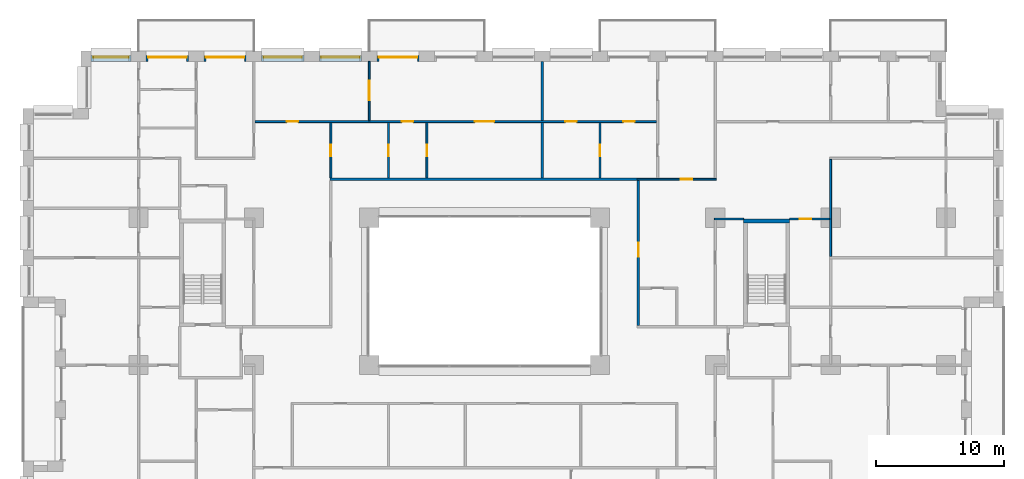
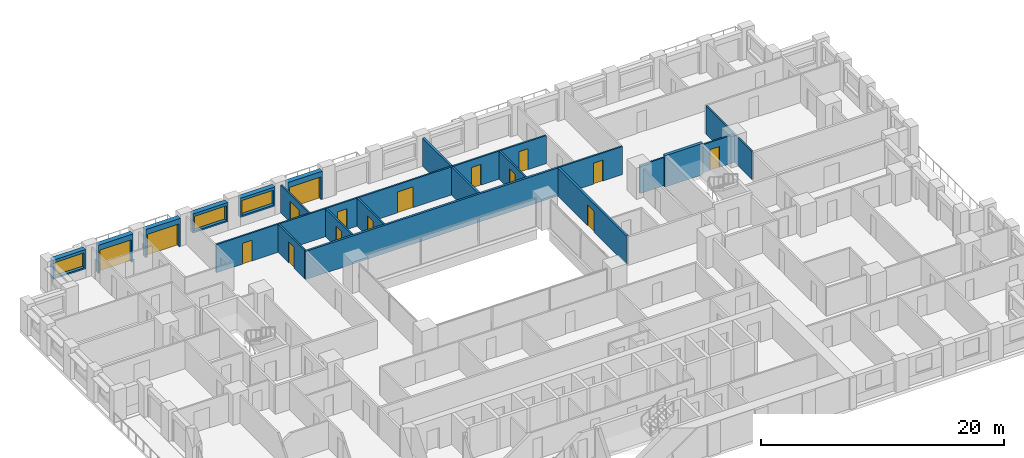
# One storey, part 14 of 19: 21 walls, 16 doors, 3 windows, 19 openings.
"""IFC4 building model written with IfcOpenShell, lengths in metres."""

from ifc_helpers import new_model, si_unit, direction, frame, frame_2d, origin, place, context, subcontext, project, spatial, rectangle, extrude, material, layer, layer_set, type_object, element, fill, save


model = new_model("IFC4")

# Units and contexts
model_context = context("Model", 3, precision=1e-05, world=origin(), true_north=direction((0.0, 1.0)))
body_context = subcontext(model_context, "Body", "Model", "MODEL_VIEW")
ifc_project = project(units=[si_unit("LENGTHUNIT", "METRE"), si_unit("AREAUNIT", "SQUARE_METRE"), si_unit("VOLUMEUNIT", "CUBIC_METRE"), si_unit("PLANEANGLEUNIT", "RADIAN"), si_unit("MASSUNIT", "GRAM", prefix="KILO")], contexts=[model_context])

# Site, building, storey
site_placement = place(None, origin())
site = spatial("IfcSite", under=ifc_project, at=site_placement, CompositionType="ELEMENT")
building_placement = place(site_placement, origin())
building = spatial("IfcBuilding", under=site, at=building_placement, Name="Brigalow Station Residences", CompositionType="ELEMENT")
storey_placement = place(building_placement, frame((0.0, 0.0, 35.25)))
storey = spatial("IfcBuildingStorey", under=building, at=storey_placement, Name="L09", CompositionType="ELEMENT", Elevation=35.25)

# Wall, opening, door
ifc_material_1 = material(Name="Clay brick masonry", Category="masonry")
ifc_layer_1 = layer(ifc_material_1, 0.449951171875)
ifc_layer_set_1 = layer_set([ifc_layer_1], Name="BRICK INFILL WALL 450")
wall_type_1 = type_object("IfcWallType", Name="BRICK INFILL WALL 450", PredefinedType="SOLIDWALL", material=ifc_layer_set_1)
wall_1_placement = place(storey_placement, frame((30.89990234375, 47.925048828125, 0.0), z_axis=(0.0, 0.0, 1.0), x_axis=(-1.0, 0.0, 0.0)))
wall_1 = element("IfcWall", 1, at=wall_1_placement, inside=storey, type_object=wall_type_1, Name="L09/ewall/W-L09-34", PredefinedType="SOLIDWALL", context=body_context, shape_type="SweptSolid", body=[
    extrude(rectangle(XDim=3.2998046875, YDim=0.449951171875, at=frame_2d((1.64990234375, 0.0))), origin(), (0.0, 0.0, 1.0), 2.830078125),
])
opening_1_placement = place(wall_1_placement, frame((0.14990234375, 0.0, 0.0)))
opening_1 = element("IfcOpeningElement", 2, at=opening_1_placement, cuts=wall_1, Name="Opening D-B3000", PredefinedType="OPENING", context=body_context, shape_type="SweptSolid", body=[
    extrude(rectangle(XDim=3.0, YDim=2.300048828125, at=frame_2d((1.5, 1.14990234375))), frame((0.0, 0.23486328125, 0.0), z_axis=(0.0, -1.0, 0.0), x_axis=(1.0, 0.0, 0.0)), (0.0, 0.0, 1.0), 0.469970703125),
])
ifc_material_2 = material(Name="Anodised aluminium frame with double glazing", Category="aluminium")
door_type_1 = type_object("IfcDoorType", Name="BALCONY SLIDING DOOR 3000x2300", OperationType="SLIDING_TO_LEFT", PredefinedType="DOOR", material=ifc_material_2)
door_1_placement = place(opening_1_placement, origin())
door_1 = element("IfcDoor", 3, at=door_1_placement, inside=storey, type_object=door_type_1, Name="L09/balcony-door/W-L09-34", OperationType="SLIDING_TO_LEFT", OverallHeight=2.300048828125, OverallWidth=3.0, PredefinedType="DOOR", context=body_context, shape_type="SweptSolid", body=[
    extrude(rectangle(XDim=3.0, YDim=2.300048828125, at=frame_2d((1.5, 1.14990234375))), frame((0.0, -0.06982421875, 0.0), z_axis=(0.0, -1.0, 0.0), x_axis=(1.0, 0.0, 0.0)), (0.0, 0.0, 1.0), 0.050048828125),
])
fill(opening_1, door_1)

# Wall, opening, window
wall_2_placement = place(storey_placement, frame((26.39990234375, 47.925048828125, 0.89990234375), z_axis=(0.0, 0.0, 1.0), x_axis=(-1.0, 0.0, 0.0)))
wall_2 = element("IfcWall", 4, at=wall_2_placement, inside=storey, type_object=wall_type_1, Name="L09/ewall/W-L09-35", PredefinedType="SOLIDWALL", context=body_context, shape_type="SweptSolid", body=[
    extrude(rectangle(XDim=3.2998046875, YDim=0.449951171875, at=frame_2d((1.64990234375, 0.0))), origin(), (0.0, 0.0, 1.0), 1.93017578125),
])
opening_2_placement = place(wall_2_placement, frame((0.14990234375, 0.0, 0.14990234375)))
opening_2 = element("IfcOpeningElement", 5, at=opening_2_placement, cuts=wall_2, Name="Opening WT-2", PredefinedType="OPENING", context=body_context, shape_type="SweptSolid", body=[
    extrude(rectangle(XDim=3.0, YDim=1.5, at=frame_2d((1.5, 0.75))), frame((0.0, 0.23486328125, 0.0), z_axis=(0.0, -1.0, 0.0), x_axis=(1.0, 0.0, 0.0)), (0.0, 0.0, 1.0), 0.469970703125),
])
ifc_material_3 = material(Name="Anodised aluminium frame with double glazing", Category="aluminium")
window_type_1 = type_object("IfcWindowType", Name="WINDOW 3000x1500", PartitioningType="SINGLE_PANEL", PredefinedType="WINDOW", material=ifc_material_3)
window_1_placement = place(opening_2_placement, origin())
window_1 = element("IfcWindow", 6, at=window_1_placement, inside=storey, type_object=window_type_1, Name="L09/window/W-L09-35", OverallHeight=1.5, OverallWidth=3.0, PartitioningType="SINGLE_PANEL", PredefinedType="WINDOW", context=body_context, shape_type="SweptSolid", body=[
    extrude(rectangle(XDim=3.0, YDim=1.5, at=frame_2d((1.5, 0.75))), frame((0.0, -0.06494140625, 0.0), z_axis=(0.0, -1.0, 0.0), x_axis=(1.0, 0.0, 0.0)), (0.0, 0.0, 1.0), 0.06005859375),
])
fill(opening_2, window_1)

wall_3_placement = place(storey_placement, frame((21.89990234375, 47.925048828125, 0.89990234375), z_axis=(0.0, 0.0, 1.0), x_axis=(-1.0, 0.0, 0.0)))
wall_3 = element("IfcWall", 7, at=wall_3_placement, inside=storey, type_object=wall_type_1, Name="L09/ewall/W-L09-36", PredefinedType="SOLIDWALL", context=body_context, shape_type="SweptSolid", body=[
    extrude(rectangle(XDim=3.2998046875, YDim=0.449951171875, at=frame_2d((1.64990234375, 0.0))), origin(), (0.0, 0.0, 1.0), 1.93017578125),
])
opening_3_placement = place(wall_3_placement, frame((0.14990234375, 0.0, 0.14990234375)))
opening_3 = element("IfcOpeningElement", 8, at=opening_3_placement, cuts=wall_3, Name="Opening WT-2", PredefinedType="OPENING", context=body_context, shape_type="SweptSolid", body=[
    extrude(rectangle(XDim=3.0, YDim=1.5, at=frame_2d((1.5, 0.75))), frame((0.0, 0.23486328125, 0.0), z_axis=(0.0, -1.0, 0.0), x_axis=(1.0, 0.0, 0.0)), (0.0, 0.0, 1.0), 0.469970703125),
])
window_2_placement = place(opening_3_placement, origin())
window_2 = element("IfcWindow", 9, at=window_2_placement, inside=storey, type_object=window_type_1, Name="L09/window/W-L09-36", OverallHeight=1.5, OverallWidth=3.0, PartitioningType="SINGLE_PANEL", PredefinedType="WINDOW", context=body_context, shape_type="SweptSolid", body=[
    extrude(rectangle(XDim=3.0, YDim=1.5, at=frame_2d((1.5, 0.75))), frame((0.0, -0.06494140625, 0.0), z_axis=(0.0, -1.0, 0.0), x_axis=(1.0, 0.0, 0.0)), (0.0, 0.0, 1.0), 0.06005859375),
])
fill(opening_3, window_2)

# Wall, opening, door
wall_4_placement = place(storey_placement, frame((17.39990234375, 47.925048828125, 0.0), z_axis=(0.0, 0.0, 1.0), x_axis=(-1.0, 0.0, 0.0)))
wall_4 = element("IfcWall", 10, at=wall_4_placement, inside=storey, type_object=wall_type_1, Name="L09/ewall/W-L09-37", PredefinedType="SOLIDWALL", context=body_context, shape_type="SweptSolid", body=[
    extrude(rectangle(XDim=3.2998046875, YDim=0.449951171875, at=frame_2d((1.64990234375, 0.0))), origin(), (0.0, 0.0, 1.0), 2.830078125),
])
opening_4_placement = place(wall_4_placement, frame((0.14990234375, 0.0, 0.0)))
opening_4 = element("IfcOpeningElement", 11, at=opening_4_placement, cuts=wall_4, Name="Opening D-B3000", PredefinedType="OPENING", context=body_context, shape_type="SweptSolid", body=[
    extrude(rectangle(XDim=3.0, YDim=2.300048828125, at=frame_2d((1.5, 1.14990234375))), frame((0.0, 0.23486328125, 0.0), z_axis=(0.0, -1.0, 0.0), x_axis=(1.0, 0.0, 0.0)), (0.0, 0.0, 1.0), 0.469970703125),
])
door_2_placement = place(opening_4_placement, origin())
door_2 = element("IfcDoor", 12, at=door_2_placement, inside=storey, type_object=door_type_1, Name="L09/balcony-door/W-L09-37", OperationType="SLIDING_TO_LEFT", OverallHeight=2.300048828125, OverallWidth=3.0, PredefinedType="DOOR", context=body_context, shape_type="SweptSolid", body=[
    extrude(rectangle(XDim=3.0, YDim=2.300048828125, at=frame_2d((1.5, 1.14990234375))), frame((0.0, -0.06982421875, 0.0), z_axis=(0.0, -1.0, 0.0), x_axis=(1.0, 0.0, 0.0)), (0.0, 0.0, 1.0), 0.050048828125),
])
fill(opening_4, door_2)

wall_5_placement = place(storey_placement, frame((12.89990234375, 47.925048828125, 0.0), z_axis=(0.0, 0.0, 1.0), x_axis=(-1.0, 0.0, 0.0)))
wall_5 = element("IfcWall", 13, at=wall_5_placement, inside=storey, type_object=wall_type_1, Name="L09/ewall/W-L09-38", PredefinedType="SOLIDWALL", context=body_context, shape_type="SweptSolid", body=[
    extrude(rectangle(XDim=3.2998046875, YDim=0.449951171875, at=frame_2d((1.64990234375, 0.0))), origin(), (0.0, 0.0, 1.0), 2.830078125),
])
opening_5_placement = place(wall_5_placement, frame((0.14990234375, 0.0, 0.0)))
opening_5 = element("IfcOpeningElement", 14, at=opening_5_placement, cuts=wall_5, Name="Opening D-B3000", PredefinedType="OPENING", context=body_context, shape_type="SweptSolid", body=[
    extrude(rectangle(XDim=3.0, YDim=2.300048828125, at=frame_2d((1.5, 1.14990234375))), frame((0.0, 0.23486328125, 0.0), z_axis=(0.0, -1.0, 0.0), x_axis=(1.0, 0.0, 0.0)), (0.0, 0.0, 1.0), 0.469970703125),
])
door_3_placement = place(opening_5_placement, origin())
door_3 = element("IfcDoor", 15, at=door_3_placement, inside=storey, type_object=door_type_1, Name="L09/balcony-door/W-L09-38", OperationType="SLIDING_TO_LEFT", OverallHeight=2.300048828125, OverallWidth=3.0, PredefinedType="DOOR", context=body_context, shape_type="SweptSolid", body=[
    extrude(rectangle(XDim=3.0, YDim=2.300048828125, at=frame_2d((1.5, 1.14990234375))), frame((0.0, -0.06982421875, 0.0), z_axis=(0.0, -1.0, 0.0), x_axis=(1.0, 0.0, 0.0)), (0.0, 0.0, 1.0), 0.050048828125),
])
fill(opening_5, door_3)

# Wall, opening, window
wall_6_placement = place(storey_placement, frame((8.39990234375, 47.925048828125, 0.89990234375), z_axis=(0.0, 0.0, 1.0), x_axis=(-1.0, 0.0, 0.0)))
wall_6 = element("IfcWall", 16, at=wall_6_placement, inside=storey, type_object=wall_type_1, Name="L09/ewall/W-L09-39", PredefinedType="SOLIDWALL", context=body_context, shape_type="SweptSolid", body=[
    extrude(rectangle(XDim=3.099853515625, YDim=0.449951171875, at=frame_2d((1.5498046875, 0.0))), origin(), (0.0, 0.0, 1.0), 1.93017578125),
])
opening_6_placement = place(wall_6_placement, frame((0.175048828125, 0.0, 0.14990234375)))
opening_6 = element("IfcOpeningElement", 17, at=opening_6_placement, cuts=wall_6, Name="Opening WT-3", PredefinedType="OPENING", context=body_context, shape_type="SweptSolid", body=[
    extrude(rectangle(XDim=2.75, YDim=1.5, at=frame_2d((1.375, 0.75))), frame((0.0, 0.23486328125, 0.0), z_axis=(0.0, -1.0, 0.0), x_axis=(1.0, 0.0, 0.0)), (0.0, 0.0, 1.0), 0.469970703125),
])
ifc_material_4 = material(Name="Anodised aluminium frame with double glazing", Category="aluminium")
window_type_2 = type_object("IfcWindowType", Name="WINDOW 2750x1500", PartitioningType="SINGLE_PANEL", PredefinedType="WINDOW", material=ifc_material_4)
window_3_placement = place(opening_6_placement, origin())
window_3 = element("IfcWindow", 18, at=window_3_placement, inside=storey, type_object=window_type_2, Name="L09/window/W-L09-39", OverallHeight=1.5, OverallWidth=2.75, PartitioningType="SINGLE_PANEL", PredefinedType="WINDOW", context=body_context, shape_type="SweptSolid", body=[
    extrude(rectangle(XDim=2.75, YDim=1.5, at=frame_2d((1.375, 0.75))), frame((0.0, -0.06494140625, 0.0), z_axis=(0.0, -1.0, 0.0), x_axis=(1.0, 0.0, 0.0)), (0.0, 0.0, 1.0), 0.06005859375),
])
fill(opening_6, window_3)

# Wall
ifc_material_5 = material(Name="Concrete C80", Category="concrete")
ifc_layer_2 = layer(ifc_material_5, 0.300048828125)
ifc_layer_set_2 = layer_set([ifc_layer_2], Name="CORE SHEAR WALL 300 C80")
wall_type_2 = type_object("IfcWallType", Name="CORE SHEAR WALL 300 C80", PredefinedType="SHEAR", material=ifc_layer_set_2)
wall_7_placement = place(storey_placement, frame((56.199951171875, 35.25, 0.0), z_axis=(0.0, 0.0, 1.0), x_axis=(1.0, 0.0, 0.0)))
element("IfcWall", 19, at=wall_7_placement, inside=storey, type_object=wall_type_2, Name="CORE WALL ST-S3-N L09", PredefinedType="SHEAR", context=body_context, shape_type="SweptSolid", body=[
    extrude(rectangle(XDim=3.60009765625, YDim=0.300048828125, at=frame_2d((1.800048828125, 0.0))), origin(), (0.0, 0.0, 1.0), 3.14990234375),
])

# Wall, opening, door
ifc_material_6 = material(Name="Plasterboard on steel stud partition", Category="steel")
ifc_layer_3 = layer(ifc_material_6, 0.14990234375)
ifc_layer_set_3 = layer_set([ifc_layer_3], Name="FLAT PARTITION 150")
wall_type_3 = type_object("IfcWallType", Name="FLAT PARTITION 150", PredefinedType="PARTITIONING", material=ifc_layer_set_3)
wall_8_placement = place(storey_placement, frame((47.89990234375, 38.5, 0.0), z_axis=(0.0, 0.0, 1.0), x_axis=(1.0, 0.0, 0.0)))
wall_8 = element("IfcWall", 20, at=wall_8_placement, inside=storey, type_object=wall_type_3, Name="PW-1B08", PredefinedType="PARTITIONING", context=body_context, shape_type="SweptSolid", body=[
    extrude(rectangle(XDim=6.175048828125, YDim=0.14990234375, at=frame_2d((3.08740234375, 0.0))), origin(), (0.0, 0.0, 1.0), 2.830078125),
])
opening_7_placement = place(wall_8_placement, frame((3.39990234375, 0.0, 0.0)))
opening_7 = element("IfcOpeningElement", 21, at=opening_7_placement, cuts=wall_8, Name="Opening D-1B43", PredefinedType="OPENING", context=body_context, shape_type="SweptSolid", body=[
    extrude(rectangle(XDim=0.89990234375, YDim=2.10009765625, at=frame_2d((0.449951171875, 1.050048828125))), frame((0.0, 0.0849609375, 0.0), z_axis=(0.0, -1.0, 0.0), x_axis=(1.0, 0.0, 0.0)), (0.0, 0.0, 1.0), 0.169921875),
])
ifc_material_7 = material(Name="Solid-core timber door leaf", Category="wood")
door_type_2 = type_object("IfcDoorType", Name="INTERNAL DOOR 900 x 2100", OperationType="SINGLE_SWING_LEFT", PredefinedType="DOOR", material=ifc_material_7)
door_4_placement = place(opening_7_placement, origin())
door_4 = element("IfcDoor", 22, at=door_4_placement, inside=storey, type_object=door_type_2, Name="D-1B43", OperationType="SINGLE_SWING_RIGHT", OverallHeight=2.10009765625, OverallWidth=0.89990234375, PredefinedType="DOOR", context=body_context, shape_type="SweptSolid", body=[
    extrude(rectangle(XDim=0.89990234375, YDim=2.10009765625, at=frame_2d((0.449951171875, 1.050048828125))), frame((0.0, 0.02490234375, 0.0), z_axis=(0.0, -1.0, 0.0), x_axis=(1.0, 0.0, 0.0)), (0.0, 0.0, 1.0), 0.050048828125),
])
fill(opening_7, door_4)

# Wall, openings, doors
wall_9_placement = place(storey_placement, frame((18.074951171875, 43.0, 0.0), z_axis=(0.0, 0.0, 1.0), x_axis=(1.0, 0.0, 0.0)))
wall_9 = element("IfcWall", 23, at=wall_9_placement, inside=storey, type_object=wall_type_3, Name="PW-1B23", PredefinedType="PARTITIONING", context=body_context, shape_type="SweptSolid", body=[
    extrude(rectangle(XDim=31.35009765625, YDim=0.14990234375, at=frame_2d((15.675048828125, 0.0))), origin(), (0.0, 0.0, 1.0), 2.830078125),
])
opening_8_placement = place(wall_9_placement, frame((17.175048828125, 0.0, 0.0)))
opening_8 = element("IfcOpeningElement", 24, at=opening_8_placement, cuts=wall_9, Name="Opening D-1B22", PredefinedType="OPENING", context=body_context, shape_type="SweptSolid", body=[
    extrude(rectangle(XDim=1.5, YDim=2.10009765625, at=frame_2d((0.75, 1.050048828125))), frame((0.0, 0.0849609375, 0.0), z_axis=(0.0, -1.0, 0.0), x_axis=(1.0, 0.0, 0.0)), (0.0, 0.0, 1.0), 0.169921875),
])
opening_9_placement = place(wall_9_placement, frame((11.47509765625, 0.0, 0.0)))
opening_9 = element("IfcOpeningElement", 25, at=opening_9_placement, cuts=wall_9, Name="Opening D-1B24", PredefinedType="OPENING", context=body_context, shape_type="SweptSolid", body=[
    extrude(rectangle(XDim=0.89990234375, YDim=2.10009765625, at=frame_2d((0.449951171875, 1.050048828125))), frame((0.0, 0.0849609375, 0.0), z_axis=(0.0, -1.0, 0.0), x_axis=(1.0, 0.0, 0.0)), (0.0, 0.0, 1.0), 0.169921875),
])
opening_10_placement = place(wall_9_placement, frame((2.47509765625, 0.0, 0.0)))
opening_10 = element("IfcOpeningElement", 26, at=opening_10_placement, cuts=wall_9, Name="Opening D-1B30", PredefinedType="OPENING", context=body_context, shape_type="SweptSolid", body=[
    extrude(rectangle(XDim=0.89990234375, YDim=2.10009765625, at=frame_2d((0.449951171875, 1.050048828125))), frame((0.0, 0.0849609375, 0.0), z_axis=(0.0, -1.0, 0.0), x_axis=(1.0, 0.0, 0.0)), (0.0, 0.0, 1.0), 0.169921875),
])
opening_11_placement = place(wall_9_placement, frame((24.22509765625, 0.0, 0.0)))
opening_11 = element("IfcOpeningElement", 27, at=opening_11_placement, cuts=wall_9, Name="Opening D-1B39", PredefinedType="OPENING", context=body_context, shape_type="SweptSolid", body=[
    extrude(rectangle(XDim=0.89990234375, YDim=2.10009765625, at=frame_2d((0.449951171875, 1.050048828125))), frame((0.0, 0.0849609375, 0.0), z_axis=(0.0, -1.0, 0.0), x_axis=(1.0, 0.0, 0.0)), (0.0, 0.0, 1.0), 0.169921875),
])
opening_12_placement = place(wall_9_placement, frame((28.72509765625, 0.0, 0.0)))
opening_12 = element("IfcOpeningElement", 28, at=opening_12_placement, cuts=wall_9, Name="Opening D-1B41", PredefinedType="OPENING", context=body_context, shape_type="SweptSolid", body=[
    extrude(rectangle(XDim=0.89990234375, YDim=2.10009765625, at=frame_2d((0.449951171875, 1.050048828125))), frame((0.0, 0.0849609375, 0.0), z_axis=(0.0, -1.0, 0.0), x_axis=(1.0, 0.0, 0.0)), (0.0, 0.0, 1.0), 0.169921875),
])
door_5_placement = place(opening_9_placement, frame((0.89990234375, 0.0, 0.0), z_axis=(0.0, 0.0, 1.0), x_axis=(-1.0, 0.0, 0.0)))
door_5 = element("IfcDoor", 29, at=door_5_placement, inside=storey, type_object=door_type_2, Name="D-1B24", OperationType="SINGLE_SWING_RIGHT", OverallHeight=2.10009765625, OverallWidth=0.89990234375, PredefinedType="DOOR", context=body_context, shape_type="SweptSolid", body=[
    extrude(rectangle(XDim=0.89990234375, YDim=2.10009765625, at=frame_2d((0.449951171875, 1.050048828125))), frame((0.0, 0.02490234375, 0.0), z_axis=(0.0, -1.0, 0.0), x_axis=(1.0, 0.0, 0.0)), (0.0, 0.0, 1.0), 0.050048828125),
])
fill(opening_9, door_5)
door_6_placement = place(opening_10_placement, origin())
door_6 = element("IfcDoor", 30, at=door_6_placement, inside=storey, type_object=door_type_2, Name="D-1B30", OperationType="SINGLE_SWING_LEFT", OverallHeight=2.10009765625, OverallWidth=0.89990234375, PredefinedType="DOOR", context=body_context, shape_type="SweptSolid", body=[
    extrude(rectangle(XDim=0.89990234375, YDim=2.10009765625, at=frame_2d((0.449951171875, 1.050048828125))), frame((0.0, 0.02490234375, 0.0), z_axis=(0.0, -1.0, 0.0), x_axis=(1.0, 0.0, 0.0)), (0.0, 0.0, 1.0), 0.050048828125),
])
fill(opening_10, door_6)
door_7_placement = place(opening_11_placement, frame((0.89990234375, 0.0, 0.0), z_axis=(0.0, 0.0, 1.0), x_axis=(-1.0, 0.0, 0.0)))
door_7 = element("IfcDoor", 31, at=door_7_placement, inside=storey, type_object=door_type_2, Name="D-1B39", OperationType="SINGLE_SWING_RIGHT", OverallHeight=2.10009765625, OverallWidth=0.89990234375, PredefinedType="DOOR", context=body_context, shape_type="SweptSolid", body=[
    extrude(rectangle(XDim=0.89990234375, YDim=2.10009765625, at=frame_2d((0.449951171875, 1.050048828125))), frame((0.0, 0.02490234375, 0.0), z_axis=(0.0, -1.0, 0.0), x_axis=(1.0, 0.0, 0.0)), (0.0, 0.0, 1.0), 0.050048828125),
])
fill(opening_11, door_7)
door_8_placement = place(opening_12_placement, frame((0.89990234375, 0.0, 0.0), z_axis=(0.0, 0.0, 1.0), x_axis=(-1.0, 0.0, 0.0)))
door_8 = element("IfcDoor", 32, at=door_8_placement, inside=storey, type_object=door_type_2, Name="D-1B41", OperationType="SINGLE_SWING_RIGHT", OverallHeight=2.10009765625, OverallWidth=0.89990234375, PredefinedType="DOOR", context=body_context, shape_type="SweptSolid", body=[
    extrude(rectangle(XDim=0.89990234375, YDim=2.10009765625, at=frame_2d((0.449951171875, 1.050048828125))), frame((0.0, 0.02490234375, 0.0), z_axis=(0.0, -1.0, 0.0), x_axis=(1.0, 0.0, 0.0)), (0.0, 0.0, 1.0), 0.050048828125),
])
fill(opening_12, door_8)
ifc_material_8 = material(Name="Solid-core timber door leaf", Category="wood")
door_type_3 = type_object("IfcDoorType", Name="INTERNAL DOUBLE DOOR 1500 x 2100", OperationType="DOUBLE_DOOR_SINGLE_SWING", PredefinedType="DOOR", material=ifc_material_8)
door_9_placement = place(opening_8_placement, frame((1.5, 0.0, 0.0), z_axis=(0.0, 0.0, 1.0), x_axis=(-1.0, 0.0, 0.0)))
door_9 = element("IfcDoor", 33, at=door_9_placement, inside=storey, type_object=door_type_3, Name="D-1B22", OperationType="DOUBLE_DOOR_SINGLE_SWING", OverallHeight=2.10009765625, OverallWidth=1.5, PredefinedType="DOOR", context=body_context, shape_type="SweptSolid", body=[
    extrude(rectangle(XDim=1.5, YDim=2.10009765625, at=frame_2d((0.75, 1.050048828125))), frame((0.0, 0.02490234375, 0.0), z_axis=(0.0, -1.0, 0.0), x_axis=(1.0, 0.0, 0.0)), (0.0, 0.0, 1.0), 0.050048828125),
])
fill(opening_8, door_9)

# Wall
wall_10_placement = place(storey_placement, frame((53.925048828125, 35.39990234375, 0.0), z_axis=(0.0, 0.0, 1.0), x_axis=(1.0, 0.0, 0.0)))
element("IfcWall", 34, at=wall_10_placement, inside=storey, type_object=wall_type_3, Name="PW-1B27", PredefinedType="PARTITIONING", context=body_context, shape_type="SweptSolid", body=[
    extrude(rectangle(XDim=2.27490234375, YDim=0.14990234375, at=frame_2d((1.137451171875, 0.0))), origin(), (0.0, 0.0, 1.0), 2.830078125),
])

# Wall, opening, door
wall_11_placement = place(storey_placement, frame((59.800048828125, 35.39990234375, 0.0), z_axis=(0.0, 0.0, 1.0), x_axis=(1.0, 0.0, 0.0)))
wall_11 = element("IfcWall", 35, at=wall_11_placement, inside=storey, type_object=wall_type_3, Name="PW-1B28", PredefinedType="PARTITIONING", context=body_context, shape_type="SweptSolid", body=[
    extrude(rectangle(XDim=3.125, YDim=0.14990234375, at=frame_2d((1.5625, 0.0))), origin(), (0.0, 0.0, 1.0), 2.830078125),
])
opening_13_placement = place(wall_11_placement, frame((0.77490234375, 0.0, 0.0)))
opening_13 = element("IfcOpeningElement", 36, at=opening_13_placement, cuts=wall_11, Name="Opening D-1B48", PredefinedType="OPENING", context=body_context, shape_type="SweptSolid", body=[
    extrude(rectangle(XDim=0.89990234375, YDim=2.10009765625, at=frame_2d((0.449951171875, 1.050048828125))), frame((0.0, 0.0849609375, 0.0), z_axis=(0.0, -1.0, 0.0), x_axis=(1.0, 0.0, 0.0)), (0.0, 0.0, 1.0), 0.169921875),
])
door_10_placement = place(opening_13_placement, frame((0.89990234375, 0.0, 0.0), z_axis=(0.0, 0.0, 1.0), x_axis=(-1.0, 0.0, 0.0)))
door_10 = element("IfcDoor", 37, at=door_10_placement, inside=storey, type_object=door_type_2, Name="D-1B48", OperationType="SINGLE_SWING_RIGHT", OverallHeight=2.10009765625, OverallWidth=0.89990234375, PredefinedType="DOOR", context=body_context, shape_type="SweptSolid", body=[
    extrude(rectangle(XDim=0.89990234375, YDim=2.10009765625, at=frame_2d((0.449951171875, 1.050048828125))), frame((0.0, 0.02490234375, 0.0), z_axis=(0.0, -1.0, 0.0), x_axis=(1.0, 0.0, 0.0)), (0.0, 0.0, 1.0), 0.050048828125),
])
fill(opening_13, door_10)

wall_12_placement = place(storey_placement, frame((24.0, 38.60009765625, 0.0), z_axis=(0.0, 0.0, 1.0), x_axis=(0.0, 1.0, 0.0)))
wall_12 = element("IfcWall", 38, at=wall_12_placement, inside=storey, type_object=wall_type_3, Name="PW-1B46", PredefinedType="PARTITIONING", context=body_context, shape_type="SweptSolid", body=[
    extrude(rectangle(XDim=4.324951171875, YDim=0.14990234375, at=frame_2d((2.16259765625, 0.0))), origin(), (0.0, 0.0, 1.0), 2.830078125),
])
opening_14_placement = place(wall_12_placement, frame((1.699951171875, 0.0, 0.0)))
opening_14 = element("IfcOpeningElement", 39, at=opening_14_placement, cuts=wall_12, Name="Opening D-1B28", PredefinedType="OPENING", context=body_context, shape_type="SweptSolid", body=[
    extrude(rectangle(XDim=0.89990234375, YDim=2.10009765625, at=frame_2d((0.449951171875, 1.050048828125))), frame((0.0, 0.0849609375, 0.0), z_axis=(0.0, -1.0, 0.0), x_axis=(1.0, 0.0, 0.0)), (0.0, 0.0, 1.0), 0.169921875),
])
door_11_placement = place(opening_14_placement, frame((0.89990234375, 0.0, 0.0), z_axis=(0.0, 0.0, 1.0), x_axis=(-1.0, 0.0, 0.0)))
door_11 = element("IfcDoor", 40, at=door_11_placement, inside=storey, type_object=door_type_2, Name="D-1B28", OperationType="SINGLE_SWING_RIGHT", OverallHeight=2.10009765625, OverallWidth=0.89990234375, PredefinedType="DOOR", context=body_context, shape_type="SweptSolid", body=[
    extrude(rectangle(XDim=0.89990234375, YDim=2.10009765625, at=frame_2d((0.449951171875, 1.050048828125))), frame((0.0, 0.02490234375, 0.0), z_axis=(0.0, -1.0, 0.0), x_axis=(1.0, 0.0, 0.0)), (0.0, 0.0, 1.0), 0.050048828125),
])
fill(opening_14, door_11)

wall_13_placement = place(storey_placement, frame((27.0, 43.074951171875, 0.0), z_axis=(0.0, 0.0, 1.0), x_axis=(0.0, 1.0, 0.0)))
wall_13 = element("IfcWall", 41, at=wall_13_placement, inside=storey, type_object=wall_type_3, Name="PW-1B62", PredefinedType="PARTITIONING", context=body_context, shape_type="SweptSolid", body=[
    extrude(rectangle(XDim=4.625, YDim=0.14990234375, at=frame_2d((2.3125, 0.0))), origin(), (0.0, 0.0, 1.0), 2.830078125),
])
opening_15_placement = place(wall_13_placement, frame((1.60009765625, 0.0, 0.0)))
opening_15 = element("IfcOpeningElement", 42, at=opening_15_placement, cuts=wall_13, Name="Opening D-1B23", PredefinedType="OPENING", context=body_context, shape_type="SweptSolid", body=[
    extrude(rectangle(XDim=1.5, YDim=2.10009765625, at=frame_2d((0.75, 1.050048828125))), frame((0.0, 0.0849609375, 0.0), z_axis=(0.0, -1.0, 0.0), x_axis=(1.0, 0.0, 0.0)), (0.0, 0.0, 1.0), 0.169921875),
])
door_12_placement = place(opening_15_placement, origin())
door_12 = element("IfcDoor", 43, at=door_12_placement, inside=storey, type_object=door_type_3, Name="D-1B23", OperationType="DOUBLE_DOOR_SINGLE_SWING", OverallHeight=2.10009765625, OverallWidth=1.5, PredefinedType="DOOR", context=body_context, shape_type="SweptSolid", body=[
    extrude(rectangle(XDim=1.5, YDim=2.10009765625, at=frame_2d((0.75, 1.050048828125))), frame((0.0, 0.02490234375, 0.0), z_axis=(0.0, -1.0, 0.0), x_axis=(1.0, 0.0, 0.0)), (0.0, 0.0, 1.0), 0.050048828125),
])
fill(opening_15, door_12)

wall_14_placement = place(storey_placement, frame((28.5, 38.60009765625, 0.0), z_axis=(0.0, 0.0, 1.0), x_axis=(0.0, 1.0, 0.0)))
wall_14 = element("IfcWall", 44, at=wall_14_placement, inside=storey, type_object=wall_type_3, Name="PW-1B64", PredefinedType="PARTITIONING", context=body_context, shape_type="SweptSolid", body=[
    extrude(rectangle(XDim=4.324951171875, YDim=0.14990234375, at=frame_2d((2.16259765625, 0.0))), origin(), (0.0, 0.0, 1.0), 2.830078125),
])
opening_16_placement = place(wall_14_placement, frame((1.699951171875, 0.0, 0.0)))
opening_16 = element("IfcOpeningElement", 45, at=opening_16_placement, cuts=wall_14, Name="Opening D-1B34", PredefinedType="OPENING", context=body_context, shape_type="SweptSolid", body=[
    extrude(rectangle(XDim=0.89990234375, YDim=2.10009765625, at=frame_2d((0.449951171875, 1.050048828125))), frame((0.0, 0.0849609375, 0.0), z_axis=(0.0, -1.0, 0.0), x_axis=(1.0, 0.0, 0.0)), (0.0, 0.0, 1.0), 0.169921875),
])
door_13_placement = place(opening_16_placement, frame((0.89990234375, 0.0, 0.0), z_axis=(0.0, 0.0, 1.0), x_axis=(-1.0, 0.0, 0.0)))
door_13 = element("IfcDoor", 46, at=door_13_placement, inside=storey, type_object=door_type_2, Name="D-1B34", OperationType="SINGLE_SWING_RIGHT", OverallHeight=2.10009765625, OverallWidth=0.89990234375, PredefinedType="DOOR", context=body_context, shape_type="SweptSolid", body=[
    extrude(rectangle(XDim=0.89990234375, YDim=2.10009765625, at=frame_2d((0.449951171875, 1.050048828125))), frame((0.0, 0.02490234375, 0.0), z_axis=(0.0, -1.0, 0.0), x_axis=(1.0, 0.0, 0.0)), (0.0, 0.0, 1.0), 0.050048828125),
])
fill(opening_16, door_13)

wall_15_placement = place(storey_placement, frame((31.5, 38.60009765625, 0.0), z_axis=(0.0, 0.0, 1.0), x_axis=(0.0, 1.0, 0.0)))
wall_15 = element("IfcWall", 47, at=wall_15_placement, inside=storey, type_object=wall_type_3, Name="PW-1B65", PredefinedType="PARTITIONING", context=body_context, shape_type="SweptSolid", body=[
    extrude(rectangle(XDim=4.324951171875, YDim=0.14990234375, at=frame_2d((2.16259765625, 0.0))), origin(), (0.0, 0.0, 1.0), 2.830078125),
])
opening_17_placement = place(wall_15_placement, frame((1.699951171875, 0.0, 0.0)))
opening_17 = element("IfcOpeningElement", 48, at=opening_17_placement, cuts=wall_15, Name="Opening D-1B35", PredefinedType="OPENING", context=body_context, shape_type="SweptSolid", body=[
    extrude(rectangle(XDim=0.89990234375, YDim=2.10009765625, at=frame_2d((0.449951171875, 1.050048828125))), frame((0.0, 0.0849609375, 0.0), z_axis=(0.0, -1.0, 0.0), x_axis=(1.0, 0.0, 0.0)), (0.0, 0.0, 1.0), 0.169921875),
])
door_14_placement = place(opening_17_placement, origin())
door_14 = element("IfcDoor", 49, at=door_14_placement, inside=storey, type_object=door_type_2, Name="D-1B35", OperationType="SINGLE_SWING_LEFT", OverallHeight=2.10009765625, OverallWidth=0.89990234375, PredefinedType="DOOR", context=body_context, shape_type="SweptSolid", body=[
    extrude(rectangle(XDim=0.89990234375, YDim=2.10009765625, at=frame_2d((0.449951171875, 1.050048828125))), frame((0.0, 0.02490234375, 0.0), z_axis=(0.0, -1.0, 0.0), x_axis=(1.0, 0.0, 0.0)), (0.0, 0.0, 1.0), 0.050048828125),
])
fill(opening_17, door_14)

# Wall
wall_16_placement = place(storey_placement, frame((63.0, 32.47509765625, 0.0), z_axis=(0.0, 0.0, 1.0), x_axis=(0.0, 1.0, 0.0)))
element("IfcWall", 50, at=wall_16_placement, inside=storey, type_object=wall_type_3, Name="PW-1B71", PredefinedType="PARTITIONING", context=body_context, shape_type="SweptSolid", body=[
    extrude(rectangle(XDim=7.574951171875, YDim=0.14990234375, at=frame_2d((3.78759765625, 0.0))), origin(), (0.0, 0.0, 1.0), 2.830078125),
])

# Wall, opening, door
wall_17_placement = place(storey_placement, frame((45.0, 38.60009765625, 0.0), z_axis=(0.0, 0.0, 1.0), x_axis=(0.0, 1.0, 0.0)))
wall_17 = element("IfcWall", 51, at=wall_17_placement, inside=storey, type_object=wall_type_3, Name="PW-1B82", PredefinedType="PARTITIONING", context=body_context, shape_type="SweptSolid", body=[
    extrude(rectangle(XDim=4.324951171875, YDim=0.14990234375, at=frame_2d((2.16259765625, 0.0))), origin(), (0.0, 0.0, 1.0), 2.830078125),
])
opening_18_placement = place(wall_17_placement, frame((1.699951171875, 0.0, 0.0)))
opening_18 = element("IfcOpeningElement", 52, at=opening_18_placement, cuts=wall_17, Name="Opening D-1B50", PredefinedType="OPENING", context=body_context, shape_type="SweptSolid", body=[
    extrude(rectangle(XDim=0.89990234375, YDim=2.10009765625, at=frame_2d((0.449951171875, 1.050048828125))), frame((0.0, 0.0849609375, 0.0), z_axis=(0.0, -1.0, 0.0), x_axis=(1.0, 0.0, 0.0)), (0.0, 0.0, 1.0), 0.169921875),
])
door_15_placement = place(opening_18_placement, frame((0.89990234375, 0.0, 0.0), z_axis=(0.0, 0.0, 1.0), x_axis=(-1.0, 0.0, 0.0)))
door_15 = element("IfcDoor", 53, at=door_15_placement, inside=storey, type_object=door_type_2, Name="D-1B50", OperationType="SINGLE_SWING_RIGHT", OverallHeight=2.10009765625, OverallWidth=0.89990234375, PredefinedType="DOOR", context=body_context, shape_type="SweptSolid", body=[
    extrude(rectangle(XDim=0.89990234375, YDim=2.10009765625, at=frame_2d((0.449951171875, 1.050048828125))), frame((0.0, 0.02490234375, 0.0), z_axis=(0.0, -1.0, 0.0), x_axis=(1.0, 0.0, 0.0)), (0.0, 0.0, 1.0), 0.050048828125),
])
fill(opening_18, door_15)

# Wall
ifc_material_9 = material(Name="Plasterboard on steel stud partition", Category="steel")
ifc_layer_4 = layer(ifc_material_9, 0.199951171875)
ifc_layer_set_4 = layer_set([ifc_layer_4], Name="PARTY AND CORRIDOR WALL 200")
wall_type_4 = type_object("IfcWallType", Name="PARTY AND CORRIDOR WALL 200", PredefinedType="PARTITIONING", material=ifc_layer_set_4)
wall_18_placement = place(storey_placement, frame((23.925048828125, 38.5, 0.0), z_axis=(0.0, 0.0, 1.0), x_axis=(1.0, 0.0, 0.0)))
element("IfcWall", 54, at=wall_18_placement, inside=storey, type_object=wall_type_4, Name="PW-1B09", PredefinedType="PARTITIONING", context=body_context, shape_type="SweptSolid", body=[
    extrude(rectangle(XDim=24.175048828125, YDim=0.199951171875, at=frame_2d((12.08740234375, 0.0))), origin(), (0.0, 0.0, 1.0), 2.830078125),
])

# Wall, opening, door
wall_19_placement = place(storey_placement, frame((48.0, 27.10009765625, 0.0), z_axis=(0.0, 0.0, 1.0), x_axis=(0.0, 1.0, 0.0)))
wall_19 = element("IfcWall", 55, at=wall_19_placement, inside=storey, type_object=wall_type_4, Name="PW-1B48", PredefinedType="PARTITIONING", context=body_context, shape_type="SweptSolid", body=[
    extrude(rectangle(XDim=11.324951171875, YDim=0.199951171875, at=frame_2d((5.66259765625, 0.0))), origin(), (0.0, 0.0, 1.0), 2.830078125),
])
opening_19_placement = place(wall_19_placement, frame((5.35009765625, 0.0, 0.0)))
opening_19 = element("IfcOpeningElement", 56, at=opening_19_placement, cuts=wall_19, Name="Opening D-1B53", PredefinedType="OPENING", context=body_context, shape_type="SweptSolid", body=[
    extrude(rectangle(XDim=1.10009765625, YDim=2.10009765625, at=frame_2d((0.550048828125, 1.050048828125))), frame((0.0, 0.10986328125, 0.0), z_axis=(0.0, -1.0, 0.0), x_axis=(1.0, 0.0, 0.0)), (0.0, 0.0, 1.0), 0.219970703125),
])
ifc_material_10 = material(Name="Solid-core timber door leaf", Category="wood")
door_type_4 = type_object("IfcDoorType", Name="FLAT ENTRANCE DOOR 1100 x 2100 FRL -/60/30", OperationType="SINGLE_SWING_LEFT", PredefinedType="DOOR", material=ifc_material_10)
door_16_placement = place(opening_19_placement, frame((1.10009765625, 0.0, 0.0), z_axis=(0.0, 0.0, 1.0), x_axis=(-1.0, 0.0, 0.0)))
door_16 = element("IfcDoor", 57, at=door_16_placement, inside=storey, type_object=door_type_4, Name="D-1B53", OperationType="SINGLE_SWING_RIGHT", OverallHeight=2.10009765625, OverallWidth=1.10009765625, PredefinedType="DOOR", context=body_context, shape_type="SweptSolid", body=[
    extrude(rectangle(XDim=1.10009765625, YDim=2.10009765625, at=frame_2d((0.550048828125, 1.050048828125))), frame((0.0, 0.02490234375, 0.0), z_axis=(0.0, -1.0, 0.0), x_axis=(1.0, 0.0, 0.0)), (0.0, 0.0, 1.0), 0.050048828125),
])
fill(opening_19, door_16)

# Walls
wall_20_placement = place(storey_placement, frame((40.5, 38.60009765625, 0.0), z_axis=(0.0, 0.0, 1.0), x_axis=(0.0, 1.0, 0.0)))
element("IfcWall", 58, at=wall_20_placement, inside=storey, type_object=wall_type_4, Name="PW-1B66", PredefinedType="PARTITIONING", context=body_context, shape_type="SweptSolid", body=[
    extrude(rectangle(XDim=4.324951171875, YDim=0.199951171875, at=frame_2d((2.16259765625, 0.0))), origin(), (0.0, 0.0, 1.0), 2.830078125),
])
wall_21_placement = place(storey_placement, frame((40.5, 43.074951171875, 0.0), z_axis=(0.0, 0.0, 1.0), x_axis=(0.0, 1.0, 0.0)))
element("IfcWall", 59, at=wall_21_placement, inside=storey, type_object=wall_type_4, Name="PW-1B67", PredefinedType="PARTITIONING", context=body_context, shape_type="SweptSolid", body=[
    extrude(rectangle(XDim=4.625, YDim=0.199951171875, at=frame_2d((2.3125, 0.0))), origin(), (0.0, 0.0, 1.0), 2.830078125),
])

save(model, "model.ifc")
